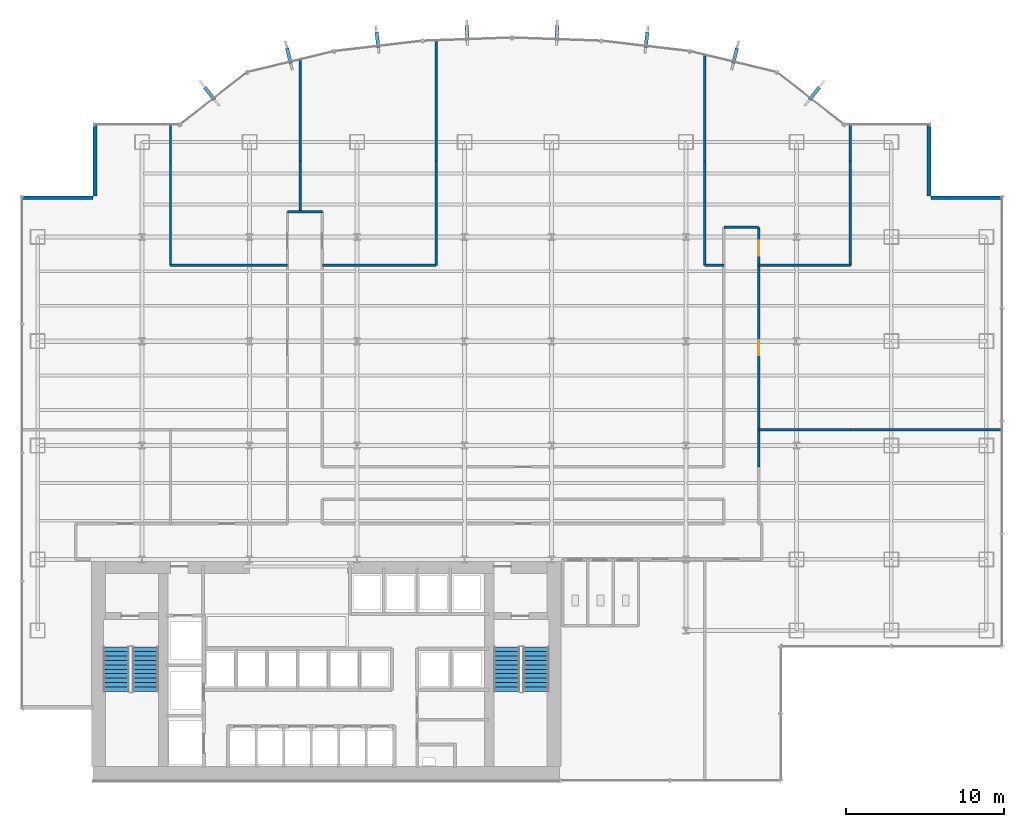
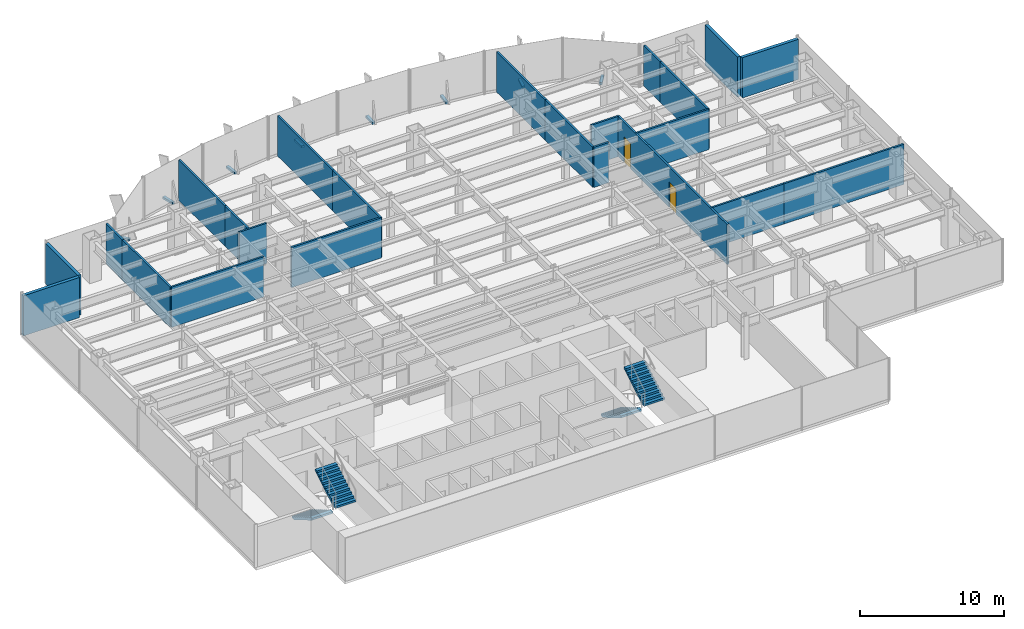
# One storey, part 19 of 22: 23 walls, 8 discrete accessories, 4 stair flights, 2 doors, 2 openings, 2 elements without a shape of their own.
"""IFC4 building model written with IfcOpenShell, lengths in metres."""

from ifc_helpers import new_model, si_unit, derived_unit, direction, frame, frame_2d, origin, origin_2d, place, context, subcontext, project, spatial, polyline, rectangle, outline, extrude, source, transform, mapped, material, layer, layer_set, type_object, element, fill, aggregate, save


model = new_model("IFC4")

# Units and contexts
model_context = context("Model", 3, precision=1e-05, world=origin(), true_north=direction((0.0, 1.0)))
body_context = subcontext(model_context, "Body", "Model", "MODEL_VIEW")
ifc_project = project(units=[si_unit("LENGTHUNIT", "METRE"), si_unit("AREAUNIT", "SQUARE_METRE"), si_unit("VOLUMEUNIT", "CUBIC_METRE"), si_unit("PLANEANGLEUNIT", "RADIAN"), si_unit("MASSUNIT", "GRAM", prefix="KILO"), derived_unit("THERMALTRANSMITTANCEUNIT", [(si_unit("POWERUNIT", "WATT"), 1), (si_unit("LENGTHUNIT", "METRE"), -2), (si_unit("THERMODYNAMICTEMPERATUREUNIT", "KELVIN"), -1)])], contexts=[model_context])

# Site, building, storey
site_placement = place(None, origin())
site = spatial("IfcSite", under=ifc_project, at=site_placement, CompositionType="ELEMENT")
building_placement = place(site_placement, origin())
building = spatial("IfcBuilding", under=site, at=building_placement, Name="Skarnbrae Concourse Arena and Tower", CompositionType="ELEMENT")
storey_placement = place(building_placement, frame((0.0, 0.0, 76.300048828125)))
storey = spatial("IfcBuildingStorey", under=building, at=storey_placement, Name="L18", CompositionType="ELEMENT", Elevation=76.300048828125)

# Walls
ifc_material_1 = material(Name="Precast concrete 40 MPa (C40/50)", Category="concrete")
ifc_layer_1 = layer(ifc_material_1, 0.25)
ifc_layer_set_1 = layer_set([ifc_layer_1], Name="Precast concrete 40 MPa (C40/50)")
wall_type_1 = type_object("IfcWallType", Name="WALL-EXT-SPANDREL-250", PredefinedType="STANDARD", material=ifc_layer_set_1)
shared_shape_1 = source(origin(), body_context, "Body", "SweptSolid", [
    extrude(rectangle(XDim=4.5, YDim=0.25, at=frame_2d((2.25, 0.0))), origin(), (0.0, 0.0, 1.0), 3.39990234375),
])
for number, where, z_axis, x_axis, name in (
    (1, (62.0, 36.875, 0.0), (0.0, 0.0, 1.0), (-1.0, 0.0, 0.0), "L18 Notched corner insulated return wall 05"),
    (2, (57.375, 37.0, 0.0), (0.0, 0.0, 1.0), (0.0, 1.0, 0.0), "L18 Notched corner insulated return wall 06"),
    (3, (4.625, 41.5, 0.0), (0.0, 0.0, 1.0), (0.0, -1.0, 0.0), "L18 Notched corner insulated return wall 17"),
    (4, (4.5, 36.875, 0.0), (0.0, 0.0, 1.0), (-1.0, 0.0, 0.0), "L18 Notched corner insulated return wall 18"),
):
    element("IfcWall", number, at=place(storey_placement, frame(where, z_axis=z_axis, x_axis=x_axis)), inside=storey, type_object=wall_type_1, Name=name, PredefinedType="STANDARD", context=body_context, shape_type="MappedRepresentation", body=[
        mapped(shared_shape_1, transform((0.0, 0.0, 0.0))),
    ])
ifc_material_2 = material(Name="Gypsum board on cold-formed steel studs", Category="steel")
ifc_layer_2 = layer(ifc_material_2, 0.14990234375)
ifc_layer_set_2 = layer_set([ifc_layer_2], Name="Gypsum board on cold-formed steel studs")
wall_type_2 = type_object("IfcWallType", Name="WALL-PART-150-1HR", PredefinedType="PARTITIONING", material=ifc_layer_set_2)
shared_shape_2 = source(origin(), body_context, "Body", "SweptSolid", [
    extrude(rectangle(XDim=2.2001953125, YDim=0.14990234375, at=frame_2d((1.10009765625, 0.0))), origin(), (0.0, 0.0, 1.0), 3.39990234375),
])
wall_1_placement = place(storey_placement, frame((44.39990234375, 35.0, 0.0), z_axis=(0.0, 0.0, 1.0), x_axis=(1.0, 0.0, 0.0)))
element("IfcWall", 5, at=wall_1_placement, inside=storey, type_object=wall_type_2, Name="L18 Interior partition wall W-L18-COR-11", PredefinedType="PARTITIONING", context=body_context, shape_type="MappedRepresentation", body=[
    mapped(shared_shape_2, transform((0.0, 0.0, 0.0))),
])
shared_shape_3 = source(origin(), body_context, "Body", "SweptSolid", [
    extrude(rectangle(XDim=2.199951171875, YDim=0.14990234375, at=frame_2d((1.10009765625, 0.0))), origin(), (0.0, 0.0, 1.0), 3.39990234375),
])
wall_2_placement = place(storey_placement, frame((16.800048828125, 36.0, 0.0), z_axis=(0.0, 0.0, 1.0), x_axis=(1.0, 0.0, 0.0)))
element("IfcWall", 6, at=wall_2_placement, inside=storey, type_object=wall_type_2, Name="L18 Interior partition wall W-L18-COR-07", PredefinedType="PARTITIONING", context=body_context, shape_type="MappedRepresentation", body=[
    mapped(shared_shape_3, transform((0.0, 0.0, 0.0))),
])

# Wall, openings, doors
shared_shape_4 = source(origin(), body_context, "Body", "SweptSolid", [
    extrude(rectangle(XDim=15.14990234375, YDim=0.14990234375, at=frame_2d((7.574951171875, 0.0))), origin(), (0.0, 0.0, 1.0), 3.39990234375),
])
wall_3_placement = place(storey_placement, frame((46.60009765625, 35.0, 0.0), z_axis=(0.0, 0.0, 1.0), x_axis=(0.0, -1.0, 0.0)))
wall_3 = element("IfcWall", 7, at=wall_3_placement, inside=storey, type_object=wall_type_2, Name="L18 Interior partition wall W-L18-COR-12", PredefinedType="PARTITIONING", context=body_context, shape_type="MappedRepresentation", body=[
    mapped(shared_shape_4, transform((0.0, 0.0, 0.0))),
])
opening_1_placement = place(wall_3_placement, frame((0.85498046875, 0.0, 0.0)))
opening_1 = element("IfcOpeningElement", 8, at=opening_1_placement, cuts=wall_3, Name="Opening DT-04", PredefinedType="OPENING", context=body_context, shape_type="SweptSolid", body=[
    extrude(rectangle(XDim=0.949951171875, YDim=2.14990234375, at=frame_2d((0.47509765625, 1.074951171875))), frame((0.0, 0.0849609375, 0.0), z_axis=(0.0, -1.0, 0.0), x_axis=(1.0, 0.0, 0.0)), (0.0, 0.0, 1.0), 0.169921875),
])
opening_2_placement = place(wall_3_placement, frame((7.125, 0.0, 0.0)))
opening_2 = element("IfcOpeningElement", 9, at=opening_2_placement, cuts=wall_3, Name="Opening DT-04", PredefinedType="OPENING", context=body_context, shape_type="SweptSolid", body=[
    extrude(rectangle(XDim=0.949951171875, YDim=2.14990234375, at=frame_2d((0.47509765625, 1.074951171875))), frame((0.0, 0.0849609375, 0.0), z_axis=(0.0, -1.0, 0.0), x_axis=(1.0, 0.0, 0.0)), (0.0, 0.0, 1.0), 0.169921875),
])
ifc_material_3 = material(Name="Steel CSA G40.21 350W", Category="steel")
door_type = type_object("IfcDoorType", Name="DOOR-INT-950-45M", OperationType="NOTDEFINED", PredefinedType="DOOR", material=ifc_material_3)
shared_shape_5 = source(origin(), body_context, "Body", "SweptSolid", [
    extrude(rectangle(XDim=0.949951171875, YDim=2.14990234375, at=frame_2d((0.47509765625, 1.074951171875))), frame((0.0, 0.02490234375, 0.0), z_axis=(0.0, -1.0, 0.0), x_axis=(1.0, 0.0, 0.0)), (0.0, 0.0, 1.0), 0.050048828125),
])
door_1_placement = place(opening_1_placement, origin())
door_1 = element("IfcDoor", 10, at=door_1_placement, inside=storey, type_object=door_type, Name="D-0684 L18 Suite Door 09", OperationType="SINGLE_SWING_RIGHT", OverallHeight=2.14990234375, OverallWidth=0.949951171875, PredefinedType="DOOR", context=body_context, shape_type="MappedRepresentation", body=[
    mapped(shared_shape_5, transform((0.0, 0.0, 0.0))),
])
fill(opening_1, door_1)
door_2_placement = place(opening_2_placement, origin())
door_2 = element("IfcDoor", 11, at=door_2_placement, inside=storey, type_object=door_type, Name="D-0686 L18 Suite Door 11", OperationType="SINGLE_SWING_RIGHT", OverallHeight=2.14990234375, OverallWidth=0.949951171875, PredefinedType="DOOR", context=body_context, shape_type="MappedRepresentation", body=[
    mapped(shared_shape_5, transform((0.0, 0.0, 0.0))),
])
fill(opening_2, door_2)

# Walls
ifc_layer_3 = layer(ifc_material_2, 0.14990234375)
ifc_layer_set_3 = layer_set([ifc_layer_3], Name="Gypsum board on cold-formed steel studs")
wall_type_3 = type_object("IfcWallType", Name="WALL-PART-150", PredefinedType="PARTITIONING", material=ifc_layer_set_3)
shared_shape_6 = source(origin(), body_context, "Body", "SweptSolid", [
    extrude(rectangle(XDim=7.400146484375, YDim=0.14990234375, at=frame_2d((3.7001953125, 0.0))), origin(), (0.0, 0.0, 1.0), 3.39990234375),
])
wall_4_placement = place(storey_placement, frame((9.39990234375, 32.60009765625, 0.0), z_axis=(0.0, 0.0, 1.0), x_axis=(1.0, 0.0, 0.0)))
element("IfcWall", 12, at=wall_4_placement, inside=storey, type_object=wall_type_3, Name="L18 Interior partition wall W-L18-DEM-27", PredefinedType="PARTITIONING", context=body_context, shape_type="MappedRepresentation", body=[
    mapped(shared_shape_6, transform((0.0, 0.0, 0.0))),
])
shared_shape_7 = source(origin(), body_context, "Body", "SweptSolid", [
    extrude(rectangle(XDim=2.280029296875, YDim=0.14990234375, at=frame_2d((1.14013671875, 0.0))), origin(), (0.0, 0.0, 1.0), 3.39990234375),
])
for number, where, z_axis, x_axis, name in (
    (13, (9.39990234375, 41.47998046875, 0.0), (0.0, 0.0, 1.0), (0.0, -1.0, 0.0), "L18 Interior partition wall W-L18-DEM-25"),
    (14, (52.39990234375, 41.47998046875, 0.0), (0.0, 0.0, 1.0), (0.0, -1.0, 0.0), "L18 Interior partition wall W-L18-DEM-39"),
):
    element("IfcWall", number, at=place(storey_placement, frame(where, z_axis=z_axis, x_axis=x_axis)), inside=storey, type_object=wall_type_3, Name=name, PredefinedType="PARTITIONING", context=body_context, shape_type="MappedRepresentation", body=[
        mapped(shared_shape_7, transform((0.0, 0.0, 0.0))),
    ])
shared_shape_8 = source(origin(), body_context, "Body", "SweptSolid", [
    extrude(rectangle(XDim=6.599853515625, YDim=0.14990234375, at=frame_2d((3.2998046875, 0.0))), origin(), (0.0, 0.0, 1.0), 3.39990234375),
])
for number, where, z_axis, x_axis, name in (
    (15, (9.39990234375, 39.199951171875, 0.0), (0.0, 0.0, 1.0), (0.0, -1.0, 0.0), "L18 Interior partition wall W-L18-DEM-26"),
    (16, (26.199951171875, 39.199951171875, 0.0), (0.0, 0.0, 1.0), (0.0, -1.0, 0.0), "L18 Interior partition wall W-L18-DEM-31"),
    (17, (43.199951171875, 39.199951171875, 0.0), (0.0, 0.0, 1.0), (0.0, -1.0, 0.0), "L18 Interior partition wall W-L18-DEM-35"),
    (18, (52.39990234375, 39.199951171875, 0.0), (0.0, 0.0, 1.0), (0.0, -1.0, 0.0), "L18 Interior partition wall W-L18-DEM-40"),
):
    element("IfcWall", number, at=place(storey_placement, frame(where, z_axis=z_axis, x_axis=x_axis)), inside=storey, type_object=wall_type_3, Name=name, PredefinedType="PARTITIONING", context=body_context, shape_type="MappedRepresentation", body=[
        mapped(shared_shape_8, transform((0.0, 0.0, 0.0))),
    ])
shared_shape_9 = source(origin(), body_context, "Body", "SweptSolid", [
    extrude(rectangle(XDim=6.4052734375, YDim=0.14990234375, at=frame_2d((3.20263671875, 0.0))), origin(), (0.0, 0.0, 1.0), 3.39990234375),
])
wall_5_placement = place(storey_placement, frame((17.60009765625, 45.605224609375, 0.0), z_axis=(0.0, 0.0, 1.0), x_axis=(0.0, -1.0, 0.0)))
element("IfcWall", 19, at=wall_5_placement, inside=storey, type_object=wall_type_3, Name="L18 Interior partition wall W-L18-DEM-28", PredefinedType="PARTITIONING", context=body_context, shape_type="MappedRepresentation", body=[
    mapped(shared_shape_9, transform((0.0, 0.0, 0.0))),
])
shared_shape_10 = source(origin(), body_context, "Body", "SweptSolid", [
    extrude(rectangle(XDim=3.199951171875, YDim=0.14990234375, at=frame_2d((1.60009765625, 0.0))), origin(), (0.0, 0.0, 1.0), 3.39990234375),
])
wall_6_placement = place(storey_placement, frame((17.60009765625, 39.199951171875, 0.0), z_axis=(0.0, 0.0, 1.0), x_axis=(0.0, -1.0, 0.0)))
element("IfcWall", 20, at=wall_6_placement, inside=storey, type_object=wall_type_3, Name="L18 Interior partition wall W-L18-DEM-29", PredefinedType="PARTITIONING", context=body_context, shape_type="MappedRepresentation", body=[
    mapped(shared_shape_10, transform((0.0, 0.0, 0.0))),
])
shared_shape_11 = source(origin(), body_context, "Body", "SweptSolid", [
    extrude(rectangle(XDim=7.607666015625, YDim=0.14990234375, at=frame_2d((3.8037109375, 0.0))), origin(), (0.0, 0.0, 1.0), 3.39990234375),
])
wall_7_placement = place(storey_placement, frame((26.199951171875, 46.8076171875, 0.0), z_axis=(0.0, 0.0, 1.0), x_axis=(0.0, -1.0, 0.0)))
element("IfcWall", 21, at=wall_7_placement, inside=storey, type_object=wall_type_3, Name="L18 Interior partition wall W-L18-DEM-30", PredefinedType="PARTITIONING", context=body_context, shape_type="MappedRepresentation", body=[
    mapped(shared_shape_11, transform((0.0, 0.0, 0.0))),
])
shared_shape_12 = source(origin(), body_context, "Body", "SweptSolid", [
    extrude(rectangle(XDim=7.199951171875, YDim=0.14990234375, at=frame_2d((3.60009765625, 0.0))), origin(), (0.0, 0.0, 1.0), 3.39990234375),
])
wall_8_placement = place(storey_placement, frame((26.199951171875, 32.60009765625, 0.0), z_axis=(0.0, 0.0, 1.0), x_axis=(-1.0, 0.0, 0.0)))
element("IfcWall", 22, at=wall_8_placement, inside=storey, type_object=wall_type_3, Name="L18 Interior partition wall W-L18-DEM-32", PredefinedType="PARTITIONING", context=body_context, shape_type="MappedRepresentation", body=[
    mapped(shared_shape_12, transform((0.0, 0.0, 0.0))),
])
shared_shape_13 = source(origin(), body_context, "Body", "SweptSolid", [
    extrude(rectangle(XDim=6.695556640625, YDim=0.14990234375, at=frame_2d((3.34765625, 0.0))), origin(), (0.0, 0.0, 1.0), 3.39990234375),
])
wall_9_placement = place(storey_placement, frame((43.199951171875, 45.8955078125, 0.0), z_axis=(0.0, 0.0, 1.0), x_axis=(0.0, -1.0, 0.0)))
element("IfcWall", 23, at=wall_9_placement, inside=storey, type_object=wall_type_3, Name="L18 Interior partition wall W-L18-DEM-34", PredefinedType="PARTITIONING", context=body_context, shape_type="MappedRepresentation", body=[
    mapped(shared_shape_13, transform((0.0, 0.0, 0.0))),
])
shared_shape_14 = source(origin(), body_context, "Body", "SweptSolid", [
    extrude(rectangle(XDim=1.199951171875, YDim=0.14990234375, at=frame_2d((0.60009765625, 0.0))), origin(), (0.0, 0.0, 1.0), 3.39990234375),
])
wall_10_placement = place(storey_placement, frame((43.199951171875, 32.60009765625, 0.0), z_axis=(0.0, 0.0, 1.0), x_axis=(1.0, 0.0, 0.0)))
element("IfcWall", 24, at=wall_10_placement, inside=storey, type_object=wall_type_3, Name="L18 Interior partition wall W-L18-DEM-36", PredefinedType="PARTITIONING", context=body_context, shape_type="MappedRepresentation", body=[
    mapped(shared_shape_14, transform((0.0, 0.0, 0.0))),
])
shared_shape_15 = source(origin(), body_context, "Body", "SweptSolid", [
    extrude(rectangle(XDim=5.7998046875, YDim=0.14990234375, at=frame_2d((2.89990234375, 0.0))), origin(), (0.0, 0.0, 1.0), 3.39990234375),
])
for number, where, z_axis, x_axis, name in (
    (25, (46.60009765625, 22.199951171875, 0.0), (0.0, 0.0, 1.0), (1.0, 0.0, 0.0), "L18 Interior partition wall W-L18-DEM-37"),
    (26, (52.39990234375, 32.60009765625, 0.0), (0.0, 0.0, 1.0), (-1.0, 0.0, 0.0), "L18 Interior partition wall W-L18-DEM-41"),
):
    element("IfcWall", number, at=place(storey_placement, frame(where, z_axis=z_axis, x_axis=x_axis)), inside=storey, type_object=wall_type_3, Name=name, PredefinedType="PARTITIONING", context=body_context, shape_type="MappedRepresentation", body=[
        mapped(shared_shape_15, transform((0.0, 0.0, 0.0))),
    ])
shared_shape_16 = source(origin(), body_context, "Body", "SweptSolid", [
    extrude(rectangle(XDim=9.580078125, YDim=0.14990234375, at=frame_2d((4.7900390625, 0.0))), origin(), (0.0, 0.0, 1.0), 3.39990234375),
])
wall_11_placement = place(storey_placement, frame((52.39990234375, 22.199951171875, 0.0), z_axis=(0.0, 0.0, 1.0), x_axis=(1.0, 0.0, 0.0)))
element("IfcWall", 27, at=wall_11_placement, inside=storey, type_object=wall_type_3, Name="L18 Interior partition wall W-L18-DEM-38", PredefinedType="PARTITIONING", context=body_context, shape_type="MappedRepresentation", body=[
    mapped(shared_shape_16, transform((0.0, 0.0, 0.0))),
])

# Stair, stair flights
ifc_material_4 = material(Name="Concrete 40 MPa (C40/50)", Category="concrete")
stair_type = type_object("IfcStairType", Name="STAIR-DOGLEG-1650", PredefinedType="HALF_TURN_STAIR", material=ifc_material_4)
stair_1_placement = place(storey_placement, origin())
stair_1 = element("IfcStair", 28, at=stair_1_placement, inside=storey, type_object=stair_type, Name="L18 Protected Exit Stair ST-1", PredefinedType="HALF_TURN_STAIR")
stair_flight_type = type_object("IfcStairFlightType", Name="FLIGHT-STRAIGHT-1650", PredefinedType="STRAIGHT", material=ifc_material_4)
shared_shape_17 = source(origin(), body_context, "Body", "SweptSolid", [
    extrude(outline(polyline([(0.0, 0.0), (0.0, 0.166015625), (0.280029296875, 0.166015625), (0.280029296875, 0.331787109375), (0.56005859375, 0.331787109375), (0.56005859375, 0.497802734375), (0.840087890625, 0.497802734375), (0.840087890625, 0.66357421875), (1.1201171875, 0.66357421875), (1.1201171875, 0.82958984375), (1.39990234375, 0.82958984375), (1.39990234375, 0.995361328125), (1.679931640625, 0.995361328125), (1.679931640625, 1.161376953125), (1.9599609375, 1.161376953125), (1.9599609375, 1.327392578125), (2.239990234375, 1.327392578125), (2.239990234375, 1.4931640625), (2.52001953125, 1.4931640625), (2.52001953125, 1.6591796875), (2.800048828125, 1.6591796875), (2.800048828125, 1.824951171875), (2.800048828125, 1.48486328125), (0.2939453125, 0.0), (0.0, 0.0)])), frame((0.0, 0.824951171875, 0.0), z_axis=(0.0, -1.0, 0.0), x_axis=(1.0, 0.0, 0.0)), (0.0, 0.0, 1.0), 1.64990234375),
])
stair_flight_1_placement = place(storey_placement, frame((5.97509765625, 8.449951171875, 0.0), z_axis=(0.0, 0.0, 1.0), x_axis=(0.0, -1.0, 0.0)))
stair_flight_1 = element("IfcStairFlight", 29, at=stair_flight_1_placement, type_object=stair_flight_type, Name="ST-1 flight 1", NumberOfRisers=11, NumberOfTreads=10, PredefinedType="STRAIGHT", RiserHeight=0.165909091, TreadLength=0.28, context=body_context, shape_type="MappedRepresentation", body=[
    mapped(shared_shape_17, transform((0.0, 0.0, 0.0))),
])
stair_flight_2_placement = place(storey_placement, frame((7.824951171875, 5.64990234375, 1.824951171875), z_axis=(0.0, 0.0, 1.0), x_axis=(0.0, 1.0, 0.0)))
stair_flight_2 = element("IfcStairFlight", 30, at=stair_flight_2_placement, type_object=stair_flight_type, Name="ST-1 flight 2", NumberOfRisers=11, NumberOfTreads=10, PredefinedType="STRAIGHT", RiserHeight=0.165909091, TreadLength=0.28, context=body_context, shape_type="MappedRepresentation", body=[
    mapped(shared_shape_17, transform((0.0, 0.0, 0.0))),
])
aggregate(stair_1, [stair_flight_1, stair_flight_2])

stair_2_placement = place(storey_placement, origin())
stair_2 = element("IfcStair", 31, at=stair_2_placement, inside=storey, type_object=stair_type, Name="L18 Protected Exit Stair ST-2", PredefinedType="HALF_TURN_STAIR")
stair_flight_3_placement = place(storey_placement, frame((30.675048828125, 8.449951171875, 0.0), z_axis=(0.0, 0.0, 1.0), x_axis=(0.0, -1.0, 0.0)))
stair_flight_3 = element("IfcStairFlight", 32, at=stair_flight_3_placement, type_object=stair_flight_type, Name="ST-2 flight 1", NumberOfRisers=11, NumberOfTreads=10, PredefinedType="STRAIGHT", RiserHeight=0.165909091, TreadLength=0.28, context=body_context, shape_type="MappedRepresentation", body=[
    mapped(shared_shape_17, transform((0.0, 0.0, 0.0))),
])
stair_flight_4_placement = place(storey_placement, frame((32.52490234375, 5.64990234375, 1.824951171875), z_axis=(0.0, 0.0, 1.0), x_axis=(0.0, 1.0, 0.0)))
stair_flight_4 = element("IfcStairFlight", 33, at=stair_flight_4_placement, type_object=stair_flight_type, Name="ST-2 flight 2", NumberOfRisers=11, NumberOfTreads=10, PredefinedType="STRAIGHT", RiserHeight=0.165909091, TreadLength=0.28, context=body_context, shape_type="MappedRepresentation", body=[
    mapped(shared_shape_17, transform((0.0, 0.0, 0.0))),
])
aggregate(stair_2, [stair_flight_3, stair_flight_4])

# Discrete accessories
ifc_material_5 = material(Name="Bronze anodised aluminium 6063-T6", Category="aluminium")
discrete_accessory_type = type_object("IfcDiscreteAccessoryType", Name="ACC-FIN-BRACKET", PredefinedType="BRACKET", material=ifc_material_5)
shared_shape_18 = source(origin(), body_context, "Body", "SweptSolid", [
    extrude(rectangle(XDim=0.219970703125, YDim=0.97998046875, at=origin_2d()), origin(), (0.0, 0.0, 1.0), 0.179931640625),
])
for number, where, z_axis, x_axis, name in (
    (34, (50.129638671875, 43.470947265625, -0.02978515625), (0.0, 0.0, 1.0), (0.787656027369, -0.616115234797, 0.0), "L18 Bronze fin foot support bracket 08"),
    (35, (45.11328125, 45.864990234375, -0.02978515625), (0.0, 0.0, 1.0), (0.971973311258, -0.235091221021, 0.0), "L18 Bronze fin foot support bracket 09"),
    (36, (39.509521484375, 46.865966796875, -0.02978515625), (0.0, 0.0, 1.0), (0.993243759876, -0.116046686587, 0.0), "L18 Bronze fin foot support bracket 10"),
    (37, (33.84130859375, 47.298095703125, -0.02978515625), (0.0, 0.0, 1.0), (0.999355613141, -0.035893710914, 0.0), "L18 Bronze fin foot support bracket 11"),
    (38, (28.15869140625, 47.298095703125, -0.02978515625), (0.0, 0.0, 1.0), (0.999355613141, 0.035893710914, 0.0), "L18 Bronze fin foot support bracket 12"),
    (39, (22.490478515625, 46.865966796875, -0.02978515625), (0.0, 0.0, 1.0), (0.993243759876, 0.116046686587, 0.0), "L18 Bronze fin foot support bracket 13"),
    (40, (16.88671875, 45.864990234375, -0.02978515625), (0.0, 0.0, 1.0), (0.971973311258, 0.235091221021, 0.0), "L18 Bronze fin foot support bracket 14"),
    (41, (11.870361328125, 43.470947265625, -0.02978515625), (0.0, 0.0, 1.0), (0.787656027369, 0.616115234797, 0.0), "L18 Bronze fin foot support bracket 15"),
):
    element("IfcDiscreteAccessory", number, at=place(storey_placement, frame(where, z_axis=z_axis, x_axis=x_axis)), inside=storey, type_object=discrete_accessory_type, Name=name, PredefinedType="BRACKET", context=body_context, shape_type="MappedRepresentation", body=[
        mapped(shared_shape_18, transform((0.0, 0.0, 0.0))),
    ])

save(model, "model.ifc")
